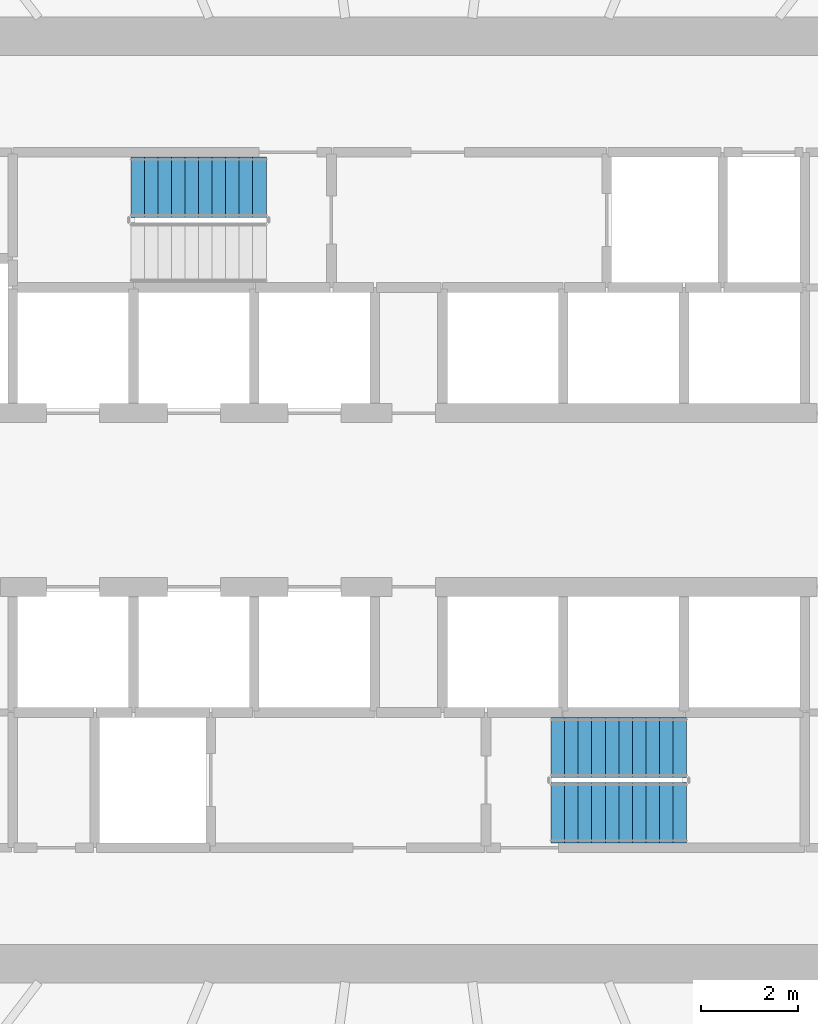
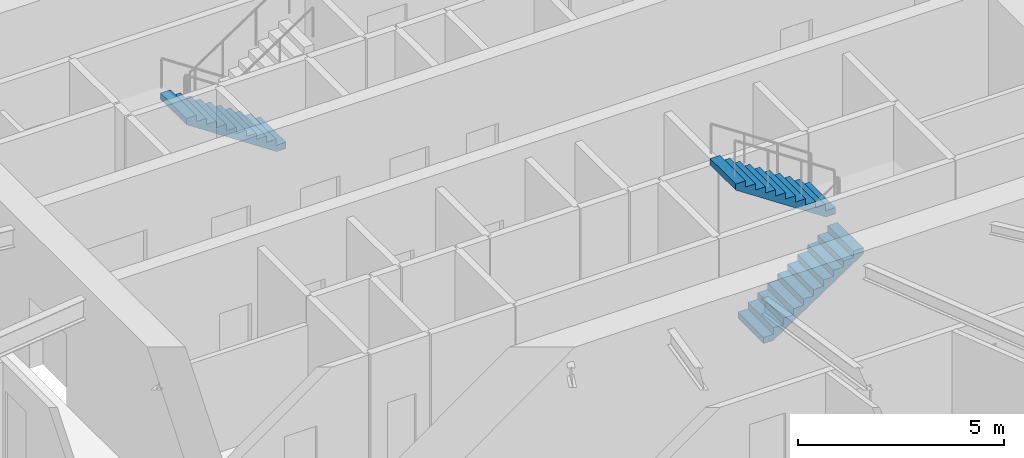
# One storey, part 14 of 17: 3 stair flights, 2 elements without a shape of their own.
"""IFC4 building model written with IfcOpenShell, lengths in metres."""

from ifc_helpers import new_model, si_unit, direction, frame, origin, place, context, subcontext, project, spatial, line, indexed_curve, outline, extrude, material, type_object, element, aggregate, save


model = new_model("IFC4")

# Units and contexts
model_context = context("Model", 3, precision=1e-05, world=origin(), true_north=direction((0.0, 1.0)))
body_context = subcontext(model_context, "Body", "Model", "MODEL_VIEW")
ifc_project = project(units=[si_unit("LENGTHUNIT", "METRE"), si_unit("AREAUNIT", "SQUARE_METRE"), si_unit("VOLUMEUNIT", "CUBIC_METRE"), si_unit("PLANEANGLEUNIT", "RADIAN"), si_unit("MASSUNIT", "GRAM", prefix="KILO")], contexts=[model_context])

# Site, building, storey
site_placement = place(None, origin())
site = spatial("IfcSite", under=ifc_project, at=site_placement, CompositionType="ELEMENT")
building_placement = place(site_placement, origin())
building = spatial("IfcBuilding", under=site, at=building_placement, Name="Spindrift Exchange Tower", CompositionType="ELEMENT")
storey_placement = place(building_placement, frame((0.0, 0.0, 100.300048828125)))
storey = spatial("IfcBuildingStorey", under=building, at=storey_placement, Name="L23", CompositionType="ELEMENT", Elevation=100.300048828125)

# Stair, stair flight
ifc_material = material(Name="Concrete 50 MPa", Category="concrete")
stair_type = type_object("IfcStairType", Name="ST-1250-R186", PredefinedType="HALF_TURN_STAIR", material=ifc_material)
stair_1_placement = place(storey_placement, origin())
stair_1 = element("IfcStair", 1, at=stair_1_placement, inside=storey, type_object=stair_type, Name="L23 Exit stair ST1", PredefinedType="HALF_TURN_STAIR")
stair_flight_type = type_object("IfcStairFlightType", Name="STF-1250-R186", PredefinedType="STRAIGHT", material=ifc_material)
stair_flight_1_placement = place(storey_placement, frame((49.050048828125, 54.47509765625, 0.0), z_axis=(0.0, 0.0, 1.0), x_axis=(-1.0, 0.0, 0.0)))
stair_flight_1 = element("IfcStairFlight", 2, at=stair_flight_1_placement, type_object=stair_flight_type, Name="ST1 flight 1", NumberOfRisers=11, NumberOfTreads=10, PredefinedType="STRAIGHT", RiserHeight=0.186363636, TreadLength=0.28, context=body_context, shape_type="SweptSolid", body=[
    extrude(outline(indexed_curve([(0.0, 0.0), (0.0, 0.1865234375), (0.2802734375, 0.1865234375), (0.2802734375, 0.373046875), (0.5595703125, 0.373046875), (0.5595703125, 0.5595703125), (0.83984375, 0.5595703125), (0.83984375, 0.7451171875), (1.1201171875, 0.7451171875), (1.1201171875, 0.931640625), (1.400390625, 0.931640625), (1.400390625, 1.1181640625), (1.6796875, 1.1181640625), (1.6796875, 1.3046875), (1.9599609375, 1.3046875), (1.9599609375, 1.4912109375), (2.240234375, 1.4912109375), (2.240234375, 1.677734375), (2.51953125, 1.677734375), (2.51953125, 1.86328125), (2.7998046875, 1.86328125), (2.7998046875, 2.0498046875), (2.7998046875, 1.68359375), (0.2705078125, 0.0)], segments=[line(1, 2, 3, 4, 5, 6, 7, 8, 9, 10, 11, 12, 13, 14, 15, 16, 17, 18, 19, 20, 21, 22, 23, 24, 1)], self_intersect=False)), frame((0.0, 0.625, 0.0), z_axis=(0.0, -1.0, 0.0), x_axis=(1.0, 0.0, 0.0)), (0.0, 0.0, 1.0), 1.25),
])
aggregate(stair_1, [stair_flight_1])

# Stair, stair flights
stair_2_placement = place(storey_placement, origin())
stair_2 = element("IfcStair", 3, at=stair_2_placement, inside=storey, type_object=stair_type, Name="L23 Exit stair ST2", PredefinedType="HALF_TURN_STAIR")
stair_flight_2_placement = place(storey_placement, frame((54.949951171875, 41.52490234375, 0.0), z_axis=(0.0, 0.0, 1.0), x_axis=(1.0, 0.0, 0.0)))
stair_flight_2 = element("IfcStairFlight", 4, at=stair_flight_2_placement, type_object=stair_flight_type, Name="ST2 flight 1", NumberOfRisers=11, NumberOfTreads=10, PredefinedType="STRAIGHT", RiserHeight=0.186363636, TreadLength=0.28, context=body_context, shape_type="SweptSolid", body=[
    extrude(outline(indexed_curve([(0.0, 0.0), (0.0, 0.1865234375), (0.2802734375, 0.1865234375), (0.2802734375, 0.373046875), (0.5595703125, 0.373046875), (0.5595703125, 0.5595703125), (0.83984375, 0.5595703125), (0.83984375, 0.7451171875), (1.1201171875, 0.7451171875), (1.1201171875, 0.931640625), (1.400390625, 0.931640625), (1.400390625, 1.1181640625), (1.6796875, 1.1181640625), (1.6796875, 1.3046875), (1.9599609375, 1.3046875), (1.9599609375, 1.4912109375), (2.240234375, 1.4912109375), (2.240234375, 1.677734375), (2.51953125, 1.677734375), (2.51953125, 1.86328125), (2.7998046875, 1.86328125), (2.7998046875, 2.0498046875), (2.7998046875, 1.68359375), (0.2705078125, 0.0)], segments=[line(1, 2, 3, 4, 5, 6, 7, 8, 9, 10, 11, 12, 13, 14, 15, 16, 17, 18, 19, 20, 21, 22, 23, 24, 1)], self_intersect=False)), frame((0.0, 0.625, 0.0), z_axis=(0.0, -1.0, 0.0), x_axis=(1.0, 0.0, 0.0)), (0.0, 0.0, 1.0), 1.25),
])
stair_flight_3_placement = place(storey_placement, frame((57.75, 42.875, 2.050048828125), z_axis=(0.0, 0.0, 1.0), x_axis=(-1.0, 0.0, 0.0)))
stair_flight_3 = element("IfcStairFlight", 5, at=stair_flight_3_placement, type_object=stair_flight_type, Name="ST2 flight 2", NumberOfRisers=11, NumberOfTreads=10, PredefinedType="STRAIGHT", RiserHeight=0.186363636, TreadLength=0.28, context=body_context, shape_type="SweptSolid", body=[
    extrude(outline(indexed_curve([(0.0, 0.0), (0.0, 0.1865234375), (0.2802734375, 0.1865234375), (0.2802734375, 0.373046875), (0.5595703125, 0.373046875), (0.5595703125, 0.5595703125), (0.83984375, 0.5595703125), (0.83984375, 0.7451171875), (1.1201171875, 0.7451171875), (1.1201171875, 0.931640625), (1.400390625, 0.931640625), (1.400390625, 1.1181640625), (1.6796875, 1.1181640625), (1.6796875, 1.3046875), (1.9599609375, 1.3046875), (1.9599609375, 1.4912109375), (2.240234375, 1.4912109375), (2.240234375, 1.677734375), (2.51953125, 1.677734375), (2.51953125, 1.86328125), (2.7998046875, 1.86328125), (2.7998046875, 2.0498046875), (2.7998046875, 1.68359375), (0.2705078125, 0.0)], segments=[line(1, 2, 3, 4, 5, 6, 7, 8, 9, 10, 11, 12, 13, 14, 15, 16, 17, 18, 19, 20, 21, 22, 23, 24, 1)], self_intersect=False)), frame((0.0, 0.625, 0.0), z_axis=(0.0, -1.0, 0.0), x_axis=(1.0, 0.0, 0.0)), (0.0, 0.0, 1.0), 1.25),
])
aggregate(stair_2, [stair_flight_2, stair_flight_3])

save(model, "model.ifc")
